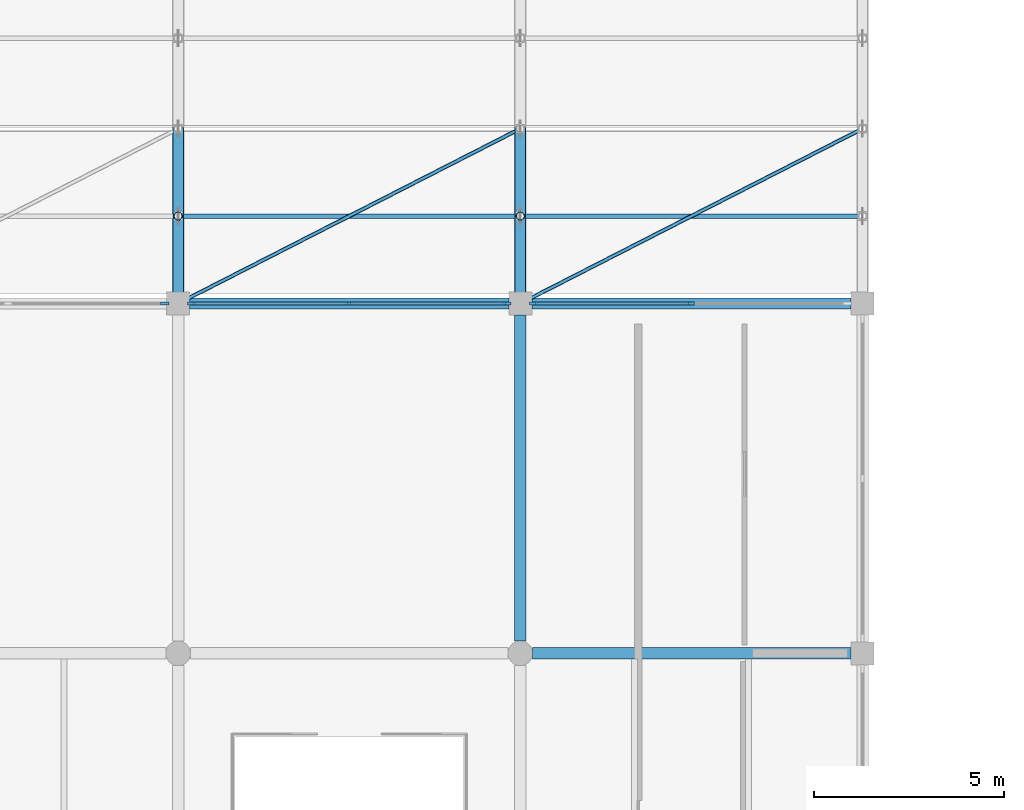
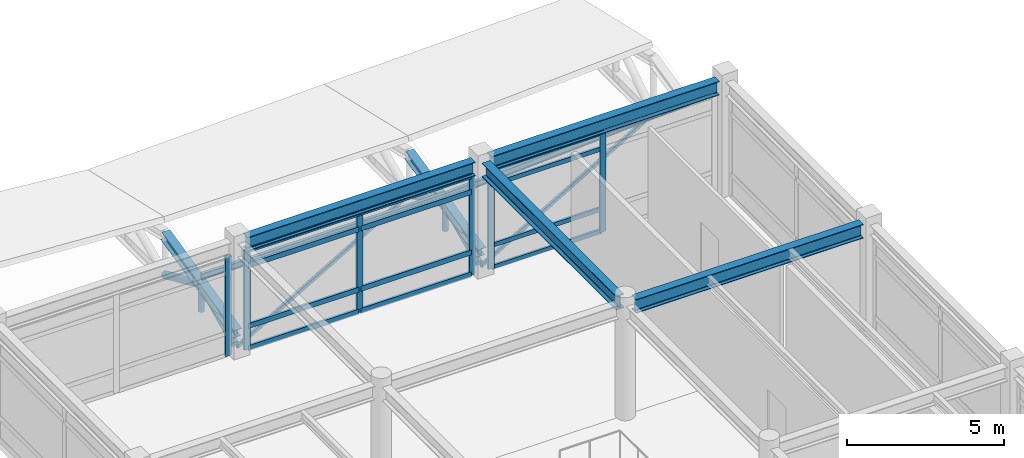
# One storey, part 25 of 61: 30 members, 4 beams, 3 elements without a shape of their own.
"""IFC4 building model written with IfcOpenShell, lengths in metres."""

from ifc_helpers import new_model, si_unit, direction, frame, origin, origin_2d, place, context, subcontext, project, spatial, rectangle, hollow_rectangle, hollow_circle, i_section, extrude, material, material_profile, profile_set, type_object, element, aggregate, save


model = new_model("IFC4")

# Units and contexts
model_context = context("Model", 3, precision=1e-05, world=origin(), true_north=direction((0.0, 1.0)))
body_context = subcontext(model_context, "Body", "Model", "MODEL_VIEW")
ifc_project = project(units=[si_unit("LENGTHUNIT", "METRE"), si_unit("AREAUNIT", "SQUARE_METRE"), si_unit("VOLUMEUNIT", "CUBIC_METRE"), si_unit("PLANEANGLEUNIT", "RADIAN"), si_unit("MASSUNIT", "GRAM", prefix="KILO")], contexts=[model_context])

# Site, building, storey
site_placement = place(None, origin())
site = spatial("IfcSite", under=ifc_project, at=site_placement, CompositionType="ELEMENT")
building_placement = place(site_placement, origin())
building = spatial("IfcBuilding", under=site, at=building_placement, Name="Bozkorgan Art Gallery", CompositionType="ELEMENT")
storey_placement = place(building_placement, frame((0.0, 0.0, 10.199951171875)))
storey = spatial("IfcBuildingStorey", under=building, at=storey_placement, Name="L02", CompositionType="ELEMENT", Elevation=10.199951171875)

# Beams
ifc_material_1 = material(Name="Steel S355J2", Category="steel")
ifc_material_profile_1 = material_profile(ifc_material_1, i_section(OverallWidth=0.300048828125, OverallDepth=0.5400390625, WebThickness=0.012451171875, FlangeThickness=0.02392578125, FilletRadius=0.027099609375, at=origin_2d()), Name="HEA 550")
ifc_profile_set_1 = profile_set([ifc_material_profile_1], Name="Steel S355J2")
beam_type = type_object("IfcBeamType", Name="BEAM-BM-35", PredefinedType="BEAM", material=ifc_profile_set_1)
beam_1_placement = place(storey_placement, frame((92.324951171875, 84.39990234375, 4.2099609375), z_axis=(1.0, 0.0, 0.0), x_axis=(0.0, 1.0, 0.0)))
element("IfcBeam", 1, at=beam_1_placement, inside=storey, type_object=beam_type, Name="V4 L02 beam X (92-101, 84.4)", PredefinedType="BEAM", context=body_context, shape_type="SweptSolid", body=[
    extrude(i_section(OverallWidth=0.300048828125, OverallDepth=0.5400390625, WebThickness=0.012451171875, FlangeThickness=0.02392578125, FilletRadius=0.027099609375, at=origin_2d()), origin(), (0.0, 0.0, 1.0), 8.375),
])
for number, where, z_axis, x_axis, name in (
    (2, (83.300048828125, 93.60009765625, 4.2099609375), (1.0, 0.0, 0.0), (0.0, 1.0, 0.0), "V4 L02 beam X (83-92, 93.6)"),
    (3, (92.300048828125, 93.60009765625, 4.2099609375), (1.0, 0.0, 0.0), (0.0, 1.0, 0.0), "V4 L02 beam X (92-101, 93.6)"),
):
    element("IfcBeam", number, at=place(storey_placement, frame(where, z_axis=z_axis, x_axis=x_axis)), inside=storey, type_object=beam_type, Name=name, PredefinedType="BEAM", context=body_context, shape_type="SweptSolid", body=[
        extrude(i_section(OverallWidth=0.300048828125, OverallDepth=0.5400390625, WebThickness=0.012451171875, FlangeThickness=0.02392578125, FilletRadius=0.027099609375, at=origin_2d()), origin(), (0.0, 0.0, 1.0), 8.39990234375),
    ])
beam_2_placement = place(storey_placement, frame((92.0, 84.72509765625, 4.2099609375), z_axis=(0.0, 1.0, 0.0), x_axis=(-1.0, 0.0, 0.0)))
element("IfcBeam", 4, at=beam_2_placement, inside=storey, type_object=beam_type, Name="V4 L02 beam Y (92, 84.4-93.6)", PredefinedType="BEAM", context=body_context, shape_type="SweptSolid", body=[
    extrude(i_section(OverallWidth=0.300048828125, OverallDepth=0.5400390625, WebThickness=0.012451171875, FlangeThickness=0.02392578125, FilletRadius=0.027099609375, at=origin_2d()), origin(), (0.0, 0.0, 1.0), 8.574951171875),
])

# Curtain wall, member
ifc_material_2 = material(Name="Anodised Bronze Aluminium", Category="aluminium")
curtain_wall_type_1 = type_object("IfcCurtainWallType", Name="CW-CW-65", PredefinedType="NOTDEFINED", material=ifc_material_2)
curtain_wall_1_placement = place(storey_placement, origin())
curtain_wall_1 = element("IfcCurtainWall", 5, at=curtain_wall_1_placement, inside=storey, type_object=curtain_wall_type_1, Name="L02 unitised curtain wall CW-V4-L02-1N-02", PredefinedType="NOTDEFINED")
ifc_material_profile_2 = material_profile(ifc_material_2, rectangle(XDim=0.074951171875, YDim=0.219970703125, at=origin_2d()), Name="ALU MULLION 75x220")
ifc_profile_set_2 = profile_set([ifc_material_profile_2], Name="Anodised Bronze Aluminium")
member_type_1 = type_object("IfcMemberType", Name="CWM-02", PredefinedType="MULLION", material=ifc_profile_set_2)
member_1_placement = place(storey_placement, frame((82.6474609375, 93.60009765625, 0.02001953125), z_axis=(0.0, 0.0, 1.0), x_axis=(0.0, 1.0, 0.0)))
member_1 = element("IfcMember", 6, at=member_1_placement, type_object=member_type_1, Name="CW-65 mullion 3", PredefinedType="MULLION", context=body_context, shape_type="SweptSolid", body=[
    extrude(rectangle(XDim=0.074951171875, YDim=0.219970703125, at=origin_2d()), origin(), (0.0, 0.0, 1.0), 3.905029296875),
])
aggregate(curtain_wall_1, [member_1])

# Curtain wall, members
curtain_wall_type_2 = type_object("IfcCurtainWallType", Name="CW-CW-43", PredefinedType="NOTDEFINED", material=ifc_material_2)
curtain_wall_2_placement = place(storey_placement, origin())
curtain_wall_2 = element("IfcCurtainWall", 7, at=curtain_wall_2_placement, inside=storey, type_object=curtain_wall_type_2, Name="L02 unitised curtain wall CW-V4-L02-1N-04", PredefinedType="NOTDEFINED")
member_2_placement = place(storey_placement, frame((83.3525390625, 93.60009765625, 0.02001953125), z_axis=(0.0, 0.0, 1.0), x_axis=(0.0, 1.0, 0.0)))
member_2 = element("IfcMember", 8, at=member_2_placement, type_object=member_type_1, Name="CW-43 mullion 1", PredefinedType="MULLION", context=body_context, shape_type="SweptSolid", body=[
    extrude(rectangle(XDim=0.074951171875, YDim=0.219970703125, at=origin_2d()), origin(), (0.0, 0.0, 1.0), 3.905029296875),
])
member_3_placement = place(storey_placement, frame((87.5, 93.60009765625, 0.02001953125), z_axis=(0.0, 0.0, 1.0), x_axis=(0.0, 1.0, 0.0)))
member_3 = element("IfcMember", 9, at=member_3_placement, type_object=member_type_1, Name="CW-43 mullion 2", PredefinedType="MULLION", context=body_context, shape_type="SweptSolid", body=[
    extrude(rectangle(XDim=0.074951171875, YDim=0.219970703125, at=origin_2d()), origin(), (0.0, 0.0, 1.0), 3.905029296875),
])
member_4_placement = place(storey_placement, frame((91.6474609375, 93.60009765625, 0.02001953125), z_axis=(0.0, 0.0, 1.0), x_axis=(0.0, 1.0, 0.0)))
member_4 = element("IfcMember", 10, at=member_4_placement, type_object=member_type_1, Name="CW-43 mullion 3", PredefinedType="MULLION", context=body_context, shape_type="SweptSolid", body=[
    extrude(rectangle(XDim=0.074951171875, YDim=0.219970703125, at=origin_2d()), origin(), (0.0, 0.0, 1.0), 3.905029296875),
])

curtain_wall_3_placement = place(storey_placement, origin())
curtain_wall_3 = element("IfcCurtainWall", 11, at=curtain_wall_3_placement, inside=storey, type_object=curtain_wall_type_1, Name="L02 unitised curtain wall CW-V4-L02-1N-06", PredefinedType="NOTDEFINED")
member_5_placement = place(storey_placement, frame((92.3525390625, 93.60009765625, 0.02001953125), z_axis=(0.0, 0.0, 1.0), x_axis=(0.0, 1.0, 0.0)))
member_5 = element("IfcMember", 12, at=member_5_placement, type_object=member_type_1, Name="CW-65 mullion 1", PredefinedType="MULLION", context=body_context, shape_type="SweptSolid", body=[
    extrude(rectangle(XDim=0.074951171875, YDim=0.219970703125, at=origin_2d()), origin(), (0.0, 0.0, 1.0), 3.905029296875),
])
member_6_placement = place(storey_placement, frame((96.47509765625, 93.60009765625, 0.02001953125), z_axis=(0.0, 0.0, 1.0), x_axis=(0.0, 1.0, 0.0)))
member_6 = element("IfcMember", 13, at=member_6_placement, type_object=member_type_1, Name="CW-65 mullion 2", PredefinedType="MULLION", context=body_context, shape_type="SweptSolid", body=[
    extrude(rectangle(XDim=0.074951171875, YDim=0.219970703125, at=origin_2d()), origin(), (0.0, 0.0, 1.0), 3.905029296875),
])
ifc_material_profile_3 = material_profile(ifc_material_2, rectangle(XDim=0.074951171875, YDim=0.169921875, at=origin_2d()), Name="ALU TRANSOM 75x170")
ifc_profile_set_3 = profile_set([ifc_material_profile_3], Name="Anodised Bronze Aluminium")
member_type_2 = type_object("IfcMemberType", Name="CWT-02", PredefinedType="USERDEFINED", material=ifc_profile_set_3)
member_7_placement = place(storey_placement, frame((92.389892578125, 93.60009765625, 0.0576171875), z_axis=(1.0, 0.0, 0.0), x_axis=(0.0, 1.0, 0.0)))
member_7 = element("IfcMember", 14, at=member_7_placement, type_object=member_type_2, Name="CW-65 transom 1.1", ObjectType="TRANSOM", PredefinedType="USERDEFINED", context=body_context, shape_type="SweptSolid", body=[
    extrude(rectangle(XDim=0.074951171875, YDim=0.169921875, at=origin_2d()), origin(), (0.0, 0.0, 1.0), 4.047607421875),
])
member_8_placement = place(storey_placement, frame((92.389892578125, 93.60009765625, 0.920166015625), z_axis=(1.0, 0.0, 0.0), x_axis=(0.0, 1.0, 0.0)))
member_8 = element("IfcMember", 15, at=member_8_placement, type_object=member_type_2, Name="CW-65 transom 1.2", ObjectType="TRANSOM", PredefinedType="USERDEFINED", context=body_context, shape_type="SweptSolid", body=[
    extrude(rectangle(XDim=0.074951171875, YDim=0.169921875, at=origin_2d()), origin(), (0.0, 0.0, 1.0), 4.047607421875),
])
member_9_placement = place(storey_placement, frame((92.389892578125, 93.60009765625, 3.275146484375), z_axis=(1.0, 0.0, 0.0), x_axis=(0.0, 1.0, 0.0)))
member_9 = element("IfcMember", 16, at=member_9_placement, type_object=member_type_2, Name="CW-65 transom 1.3", ObjectType="TRANSOM", PredefinedType="USERDEFINED", context=body_context, shape_type="SweptSolid", body=[
    extrude(rectangle(XDim=0.074951171875, YDim=0.169921875, at=origin_2d()), origin(), (0.0, 0.0, 1.0), 4.047607421875),
])
member_10_placement = place(storey_placement, frame((92.389892578125, 93.60009765625, 3.887451171875), z_axis=(1.0, 0.0, 0.0), x_axis=(0.0, 1.0, 0.0)))
member_10 = element("IfcMember", 17, at=member_10_placement, type_object=member_type_2, Name="CW-65 transom 1.4", ObjectType="TRANSOM", PredefinedType="USERDEFINED", context=body_context, shape_type="SweptSolid", body=[
    extrude(rectangle(XDim=0.074951171875, YDim=0.169921875, at=origin_2d()), origin(), (0.0, 0.0, 1.0), 4.047607421875),
])
aggregate(curtain_wall_3, [member_5, member_6, member_7, member_8, member_9, member_10])

# Member
ifc_material_profile_4 = material_profile(ifc_material_2, rectangle(XDim=0.080078125, YDim=0.199951171875, at=origin_2d()), Name="ALU TRANSOM 80x200")
ifc_profile_set_4 = profile_set([ifc_material_profile_4], Name="Anodised Bronze Aluminium")
member_type_3 = type_object("IfcMemberType", Name="CWT-03", PredefinedType="USERDEFINED", material=ifc_profile_set_4)
member_11_placement = place(storey_placement, frame((83.389892578125, 93.60009765625, 0.06005859375), z_axis=(1.0, 0.0, 0.0), x_axis=(0.0, 1.0, 0.0)))
member_11 = element("IfcMember", 18, at=member_11_placement, type_object=member_type_3, Name="CW-43 transom 1.1", ObjectType="TRANSOM", PredefinedType="USERDEFINED", context=body_context, shape_type="SweptSolid", body=[
    extrude(rectangle(XDim=0.080078125, YDim=0.199951171875, at=origin_2d()), origin(), (0.0, 0.0, 1.0), 4.072509765625),
])

member_12_placement = place(storey_placement, frame((83.389892578125, 93.60009765625, 0.920166015625), z_axis=(1.0, 0.0, 0.0), x_axis=(0.0, 1.0, 0.0)))
member_12 = element("IfcMember", 19, at=member_12_placement, type_object=member_type_3, Name="CW-43 transom 1.2", ObjectType="TRANSOM", PredefinedType="USERDEFINED", context=body_context, shape_type="SweptSolid", body=[
    extrude(rectangle(XDim=0.080078125, YDim=0.199951171875, at=origin_2d()), origin(), (0.0, 0.0, 1.0), 4.072509765625),
])

member_13_placement = place(storey_placement, frame((83.389892578125, 93.60009765625, 3.275146484375), z_axis=(1.0, 0.0, 0.0), x_axis=(0.0, 1.0, 0.0)))
member_13 = element("IfcMember", 20, at=member_13_placement, type_object=member_type_3, Name="CW-43 transom 1.3", ObjectType="TRANSOM", PredefinedType="USERDEFINED", context=body_context, shape_type="SweptSolid", body=[
    extrude(rectangle(XDim=0.080078125, YDim=0.199951171875, at=origin_2d()), origin(), (0.0, 0.0, 1.0), 4.072509765625),
])

member_14_placement = place(storey_placement, frame((83.389892578125, 93.60009765625, 3.885009765625), z_axis=(1.0, 0.0, 0.0), x_axis=(0.0, 1.0, 0.0)))
member_14 = element("IfcMember", 21, at=member_14_placement, type_object=member_type_3, Name="CW-43 transom 1.4", ObjectType="TRANSOM", PredefinedType="USERDEFINED", context=body_context, shape_type="SweptSolid", body=[
    extrude(rectangle(XDim=0.080078125, YDim=0.199951171875, at=origin_2d()), origin(), (0.0, 0.0, 1.0), 4.072509765625),
])

member_15_placement = place(storey_placement, frame((87.53759765625, 93.60009765625, 0.06005859375), z_axis=(1.0, 0.0, 0.0), x_axis=(0.0, 1.0, 0.0)))
member_15 = element("IfcMember", 22, at=member_15_placement, type_object=member_type_3, Name="CW-43 transom 2.1", ObjectType="TRANSOM", PredefinedType="USERDEFINED", context=body_context, shape_type="SweptSolid", body=[
    extrude(rectangle(XDim=0.080078125, YDim=0.199951171875, at=origin_2d()), origin(), (0.0, 0.0, 1.0), 4.072509765625),
])

member_16_placement = place(storey_placement, frame((87.53759765625, 93.60009765625, 0.920166015625), z_axis=(1.0, 0.0, 0.0), x_axis=(0.0, 1.0, 0.0)))
member_16 = element("IfcMember", 23, at=member_16_placement, type_object=member_type_3, Name="CW-43 transom 2.2", ObjectType="TRANSOM", PredefinedType="USERDEFINED", context=body_context, shape_type="SweptSolid", body=[
    extrude(rectangle(XDim=0.080078125, YDim=0.199951171875, at=origin_2d()), origin(), (0.0, 0.0, 1.0), 4.072509765625),
])

member_17_placement = place(storey_placement, frame((87.53759765625, 93.60009765625, 3.275146484375), z_axis=(1.0, 0.0, 0.0), x_axis=(0.0, 1.0, 0.0)))
member_17 = element("IfcMember", 24, at=member_17_placement, type_object=member_type_3, Name="CW-43 transom 2.3", ObjectType="TRANSOM", PredefinedType="USERDEFINED", context=body_context, shape_type="SweptSolid", body=[
    extrude(rectangle(XDim=0.080078125, YDim=0.199951171875, at=origin_2d()), origin(), (0.0, 0.0, 1.0), 4.072509765625),
])

member_18_placement = place(storey_placement, frame((87.53759765625, 93.60009765625, 3.885009765625), z_axis=(1.0, 0.0, 0.0), x_axis=(0.0, 1.0, 0.0)))
member_18 = element("IfcMember", 25, at=member_18_placement, type_object=member_type_3, Name="CW-43 transom 2.4", ObjectType="TRANSOM", PredefinedType="USERDEFINED", context=body_context, shape_type="SweptSolid", body=[
    extrude(rectangle(XDim=0.080078125, YDim=0.199951171875, at=origin_2d()), origin(), (0.0, 0.0, 1.0), 4.072509765625),
])

aggregate(curtain_wall_2, [member_2, member_3, member_4, member_11, member_12, member_13, member_14, member_15, member_16, member_17, member_18])

# Members
ifc_material_profile_5 = material_profile(ifc_material_1, i_section(OverallWidth=0.1201171875, OverallDepth=0.239990234375, WebThickness=0.006103515625, FlangeThickness=0.009765625, FilletRadius=0.014892578125, at=origin_2d()), Name="IPE 240")
ifc_profile_set_5 = profile_set([ifc_material_profile_5], Name="Steel S355J2")
member_type_4 = type_object("IfcMemberType", Name="MEMBER-PR-34", PredefinedType="PURLIN", material=ifc_profile_set_5)
member_19_placement = place(storey_placement, frame((83.0, 95.89990234375, 1.583984375), z_axis=(1.0, 0.0, 0.0), x_axis=(0.0, 1.0, 0.0)))
element("IfcMember", 26, at=member_19_placement, inside=storey, type_object=member_type_4, Name="ROOF-V4-STEP2 roof purlin 2S", PredefinedType="PURLIN", context=body_context, shape_type="SweptSolid", body=[
    extrude(i_section(OverallWidth=0.1201171875, OverallDepth=0.239990234375, WebThickness=0.006103515625, FlangeThickness=0.009765625, FilletRadius=0.014892578125, at=origin_2d()), origin(), (0.0, 0.0, 1.0), 9.0),
])
member_20_placement = place(storey_placement, frame((92.0, 95.89990234375, 1.583984375), z_axis=(0.998287793766, 0.0, 0.058493425416), x_axis=(0.0, 1.0, 0.0)))
element("IfcMember", 27, at=member_20_placement, inside=storey, type_object=member_type_4, Name="ROOF-V4-STEP2 roof purlin 3S", PredefinedType="PURLIN", context=body_context, shape_type="SweptSolid", body=[
    extrude(i_section(OverallWidth=0.1201171875, OverallDepth=0.239990234375, WebThickness=0.006103515625, FlangeThickness=0.009765625, FilletRadius=0.014892578125, at=origin_2d()), origin(), (0.0, 0.0, 1.0), 9.015380859375),
])
ifc_material_profile_6 = material_profile(ifc_material_1, i_section(OverallWidth=0.300048828125, OverallDepth=0.35009765625, WebThickness=0.010009765625, FlangeThickness=0.017578125, FilletRadius=0.027099609375, at=origin_2d()), Name="HEA 360")
ifc_profile_set_6 = profile_set([ifc_material_profile_6], Name="Steel S355J2")
member_type_5 = type_object("IfcMemberType", Name="MEMBER-TC-31", PredefinedType="CHORD", material=ifc_profile_set_6)
for number, where, z_axis, x_axis, name in (
    (28, (83.0, 93.60009765625, 0.758056640625), (0.0, 0.974367656999, 0.224961483358), (-1.0, 0.0, 0.0), "ROOF-V4-STEP2 roof truss 2 south top chord"),
    (29, (92.0, 93.60009765625, 0.758056640625), (0.0, 0.974367656999, 0.224961483358), (-1.0, 0.0, 0.0), "ROOF-V4-STEP2 roof truss 3 south top chord"),
):
    element("IfcMember", number, at=place(storey_placement, frame(where, z_axis=z_axis, x_axis=x_axis)), inside=storey, type_object=member_type_5, Name=name, PredefinedType="CHORD", context=body_context, shape_type="SweptSolid", body=[
        extrude(i_section(OverallWidth=0.300048828125, OverallDepth=0.35009765625, WebThickness=0.010009765625, FlangeThickness=0.017578125, FilletRadius=0.027099609375, at=origin_2d()), origin(), (0.0, 0.0, 1.0), 4.720947265625),
    ])
ifc_material_profile_7 = material_profile(ifc_material_1, hollow_circle(Radius=0.109619140625, WallThickness=0.010009765625, at=origin_2d()), Name="CHS 219.1x10")
ifc_profile_set_7 = profile_set([ifc_material_profile_7], Name="Steel S355J2")
member_type_6 = type_object("IfcMemberType", Name="MEMBER-TP-78", PredefinedType="POST", material=ifc_profile_set_7)
for number, where, z_axis, x_axis, name in (
    (30, (83.0, 95.89990234375, 0.25), (0.0, 0.0, 1.0), (1.0, 0.0, 0.0), "ROOF-V4-STEP2 roof truss 2 post 1"),
    (31, (92.0, 95.89990234375, 0.25), (0.0, 0.0, 1.0), (1.0, 0.0, 0.0), "ROOF-V4-STEP2 roof truss 3 post 1"),
):
    element("IfcMember", number, at=place(storey_placement, frame(where, z_axis=z_axis, x_axis=x_axis)), inside=storey, type_object=member_type_6, Name=name, PredefinedType="POST", context=body_context, shape_type="SweptSolid", body=[
        extrude(hollow_circle(Radius=0.109619140625, WallThickness=0.010009765625, at=origin_2d()), origin(), (0.0, 0.0, 1.0), 1.0390625),
    ])
ifc_material_profile_8 = material_profile(ifc_material_1, hollow_circle(Radius=0.136474609375, WallThickness=0.012451171875, at=origin_2d()), Name="CHS 273x12.5")
ifc_profile_set_8 = profile_set([ifc_material_profile_8], Name="Steel S355J2")
member_type_7 = type_object("IfcMemberType", Name="MEMBER-TW-28", PredefinedType="BRACE", material=ifc_profile_set_8)
member_21_placement = place(storey_placement, frame((83.0, 93.75, 0.25), z_axis=(0.0, 0.900358299843, 0.435149321387), x_axis=(-1.0, 0.0, 0.0)))
element("IfcMember", 32, at=member_21_placement, inside=storey, type_object=member_type_7, Name="ROOF-V4-STEP2 roof truss 2 diagonal 1", PredefinedType="BRACE", context=body_context, shape_type="SweptSolid", body=[
    extrude(hollow_circle(Radius=0.136474609375, WallThickness=0.012451171875, at=origin_2d()), origin(), (0.0, 0.0, 1.0), 2.387939453125),
])
member_22_placement = place(storey_placement, frame((83.0, 95.89990234375, 1.2890625), z_axis=(0.0, 0.911321432402, -0.411695575449), x_axis=(-1.0, 0.0, 0.0)))
element("IfcMember", 33, at=member_22_placement, inside=storey, type_object=member_type_7, Name="ROOF-V4-STEP2 roof truss 2 diagonal 2", PredefinedType="BRACE", context=body_context, shape_type="SweptSolid", body=[
    extrude(hollow_circle(Radius=0.136474609375, WallThickness=0.012451171875, at=origin_2d()), origin(), (0.0, 0.0, 1.0), 2.52392578125),
])
member_23_placement = place(storey_placement, frame((92.0, 93.75, 0.25), z_axis=(0.0, 0.900358299843, 0.435149321387), x_axis=(-1.0, 0.0, 0.0)))
element("IfcMember", 34, at=member_23_placement, inside=storey, type_object=member_type_7, Name="ROOF-V4-STEP2 roof truss 3 diagonal 1", PredefinedType="BRACE", context=body_context, shape_type="SweptSolid", body=[
    extrude(hollow_circle(Radius=0.136474609375, WallThickness=0.012451171875, at=origin_2d()), origin(), (0.0, 0.0, 1.0), 2.387939453125),
])
member_24_placement = place(storey_placement, frame((92.0, 95.89990234375, 1.2890625), z_axis=(0.0, 0.911321432402, -0.411695575449), x_axis=(-1.0, 0.0, 0.0)))
element("IfcMember", 35, at=member_24_placement, inside=storey, type_object=member_type_7, Name="ROOF-V4-STEP2 roof truss 3 diagonal 2", PredefinedType="BRACE", context=body_context, shape_type="SweptSolid", body=[
    extrude(hollow_circle(Radius=0.136474609375, WallThickness=0.012451171875, at=origin_2d()), origin(), (0.0, 0.0, 1.0), 2.52392578125),
])
ifc_material_profile_9 = material_profile(ifc_material_1, hollow_rectangle(XDim=0.10009765625, YDim=0.14990234375, WallThickness=0.008056640625, InnerFilletRadius=0.011962890625, OuterFilletRadius=0.02001953125, at=origin_2d()), Name="RHS 150x100x8")
ifc_profile_set_9 = profile_set([ifc_material_profile_9], Name="Steel S355J2")
member_type_8 = type_object("IfcMemberType", Name="MEMBER-WB-10", PredefinedType="BRACE", material=ifc_profile_set_9)
for number, where, z_axis, x_axis, name in (
    (36, (83.0, 93.60009765625, 0.25), (0.8904405553, 0.45509956875, 0.0), (-0.45509956875, 0.8904405553, 0.0), "ROOF-V4-STEP2 roof diaphragm wind brace 2"),
    (37, (92.0, 93.60009765625, 0.25), (0.8904405553, 0.45509956875, 0.0), (-0.45509956875, 0.8904405553, 0.0), "ROOF-V4-STEP2 roof diaphragm wind brace 3"),
):
    element("IfcMember", number, at=place(storey_placement, frame(where, z_axis=z_axis, x_axis=x_axis)), inside=storey, type_object=member_type_8, Name=name, PredefinedType="BRACE", context=body_context, shape_type="SweptSolid", body=[
        extrude(hollow_rectangle(XDim=0.10009765625, YDim=0.14990234375, WallThickness=0.008056640625, InnerFilletRadius=0.011962890625, OuterFilletRadius=0.02001953125, at=origin_2d()), origin(), (0.0, 0.0, 1.0), 10.107421875),
    ])

save(model, "model.ifc")
